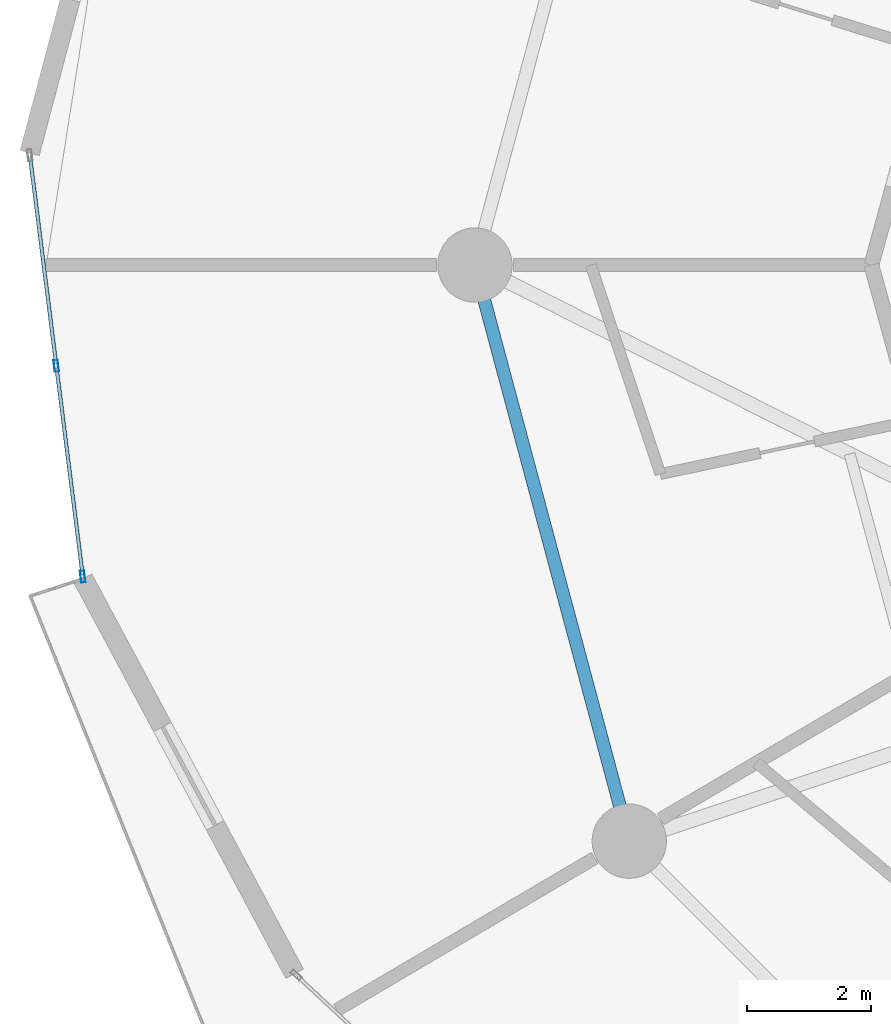
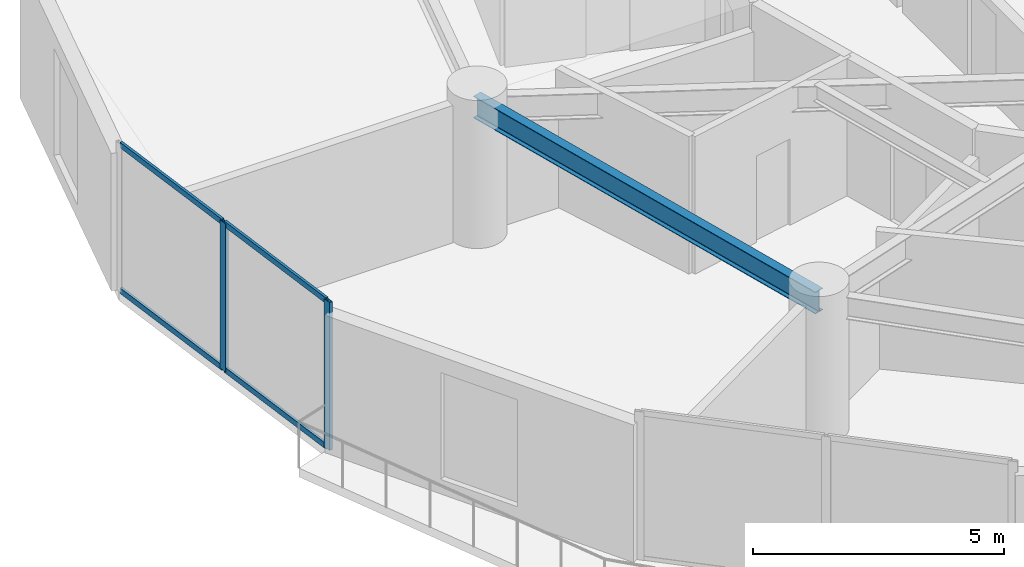
# One storey, part 4 of 26: 6 members, 1 beam, 1 element without a shape of its own.
"""IFC4 building model written with IfcOpenShell, lengths in metres."""

from ifc_helpers import new_model, si_unit, direction, frame, origin, origin_2d, place, context, subcontext, project, spatial, hollow_rectangle, i_section, extrude, source, transform, mapped, material, layer, layer_set, material_profile, profile_set, type_object, element, aggregate, save


model = new_model("IFC4")

# Units and contexts
model_context = context("Model", 3, precision=1e-05, world=origin(), true_north=direction((0.0, 1.0)))
body_context = subcontext(model_context, "Body", "Model", "MODEL_VIEW")
ifc_project = project(units=[si_unit("LENGTHUNIT", "METRE"), si_unit("AREAUNIT", "SQUARE_METRE"), si_unit("VOLUMEUNIT", "CUBIC_METRE"), si_unit("PLANEANGLEUNIT", "RADIAN"), si_unit("MASSUNIT", "GRAM", prefix="KILO")], contexts=[model_context])

# Site, building, storey
site_placement = place(None, origin())
site = spatial("IfcSite", under=ifc_project, at=site_placement, CompositionType="ELEMENT")
building_placement = place(site_placement, origin())
building = spatial("IfcBuilding", under=site, at=building_placement, Name="Solvirekh Grand Hotel", CompositionType="ELEMENT")
storey_placement = place(building_placement, frame((0.0, 0.0, 35.60009765625)))
storey = spatial("IfcBuildingStorey", under=building, at=storey_placement, Name="L07", CompositionType="ELEMENT", Elevation=35.60009765625)

# Beam
ifc_material_1 = material(Name="Steel S355", Category="steel")
ifc_material_profile_1 = material_profile(ifc_material_1, i_section(OverallWidth=0.208984375, OverallDepth=0.532958984375, WebThickness=0.010009765625, FlangeThickness=0.014892578125, FilletRadius=0.013916015625, at=origin_2d()), Name="W530X92")
ifc_profile_set_1 = profile_set([ifc_material_profile_1], Name="Steel S355")
beam_type = type_object("IfcBeamType", Name="Spandrel_Ring_W530", PredefinedType="SPANDREL", material=ifc_profile_set_1)
beam_placement = place(storey_placement, frame((-18.60009765625, 0.0, 3.072998046875), z_axis=(0.258842973314, -0.965919414426, 0.0), x_axis=(0.965919414426, 0.258842973314, 0.0)))
element("IfcBeam", 1, at=beam_placement, inside=storey, type_object=beam_type, Name="L07 perimeter spandrel beam 7", PredefinedType="SPANDREL", context=body_context, shape_type="SweptSolid", body=[
    extrude(i_section(OverallWidth=0.208984375, OverallDepth=0.532958984375, WebThickness=0.010009765625, FlangeThickness=0.014892578125, FilletRadius=0.013916015625, at=origin_2d()), origin(), (0.0, 0.0, 1.0), 9.628173828125),
])

# Curtain wall, members
ifc_material_2 = material(Name="Anodized Bronze Aluminium 6063-T6", Category="aluminium")
ifc_layer = layer(ifc_material_2, 0.18994140625)
ifc_layer_set = layer_set([ifc_layer], Name="Anodized Bronze Aluminium 6063-T6")
curtain_wall_type = type_object("IfcCurtainWallType", Name="CW_Sys2_LowZoneFlushBronzeCW", PredefinedType="NOTDEFINED", material=ifc_layer_set)
curtain_wall_placement = place(storey_placement, origin())
curtain_wall = element("IfcCurtainWall", 2, at=curtain_wall_placement, inside=storey, type_object=curtain_wall_type, Name="L07 unitised bronze-glass curtain wall CW-L07-C11", PredefinedType="NOTDEFINED")
ifc_material_profile_2 = material_profile(ifc_material_2, hollow_rectangle(XDim=0.06005859375, YDim=0.135009765625, WallThickness=0.00390625, at=origin_2d()), Name="ALU RHS 135X60X4")
ifc_profile_set_2 = profile_set([ifc_material_profile_2], Name="Anodized Bronze Aluminium 6063-T6")
member_type_1 = type_object("IfcMemberType", Name="CWTransom_Sys2", PredefinedType="USERDEFINED", material=ifc_profile_set_2)
shared_shape_1 = source(origin(), body_context, "Body", "SweptSolid", [
    extrude(hollow_rectangle(XDim=0.06005859375, YDim=0.135009765625, WallThickness=0.00390625, at=origin_2d()), origin(), (0.0, 0.0, 1.0), 3.357421875),
])
member_1_placement = place(storey_placement, frame((-25.7802734375, 1.738525390625, 0.02978515625), z_axis=(0.124634334989, -0.99220274266, 0.0), x_axis=(0.99220274266, 0.124634334989, 0.0)))
member_1 = element("IfcMember", 3, at=member_1_placement, type_object=member_type_1, Name="U02 transom 1.1", ObjectType="TRANSOM", PredefinedType="USERDEFINED", context=body_context, shape_type="MappedRepresentation", body=[
    mapped(shared_shape_1, transform((0.0, 0.0, 0.0), x_axis=(1.0, 0.0, 0.0), y_axis=(0.0, 1.0, 0.0), z_axis=(0.0, 0.0, 1.0), scale=1.0)),
])
member_2_placement = place(storey_placement, frame((-25.7802734375, 1.738525390625, 3.56982421875), z_axis=(0.124634334989, -0.99220274266, 0.0), x_axis=(0.99220274266, 0.124634334989, 0.0)))
member_2 = element("IfcMember", 4, at=member_2_placement, type_object=member_type_1, Name="U02 transom 1.2", ObjectType="TRANSOM", PredefinedType="USERDEFINED", context=body_context, shape_type="MappedRepresentation", body=[
    mapped(shared_shape_1, transform((0.0, 0.0, 0.0), x_axis=(1.0, 0.0, 0.0), y_axis=(0.0, 1.0, 0.0), z_axis=(0.0, 0.0, 1.0), scale=1.0)),
])
shared_shape_2 = source(origin(), body_context, "Body", "SweptSolid", [
    extrude(hollow_rectangle(XDim=0.06005859375, YDim=0.135009765625, WallThickness=0.00390625, at=origin_2d()), origin(), (0.0, 0.0, 1.0), 3.357666015625),
])
member_3_placement = place(storey_placement, frame((-25.35302734375, -1.662109375, 0.02978515625), z_axis=(0.124553761541, -0.992212860472, 0.0), x_axis=(0.992212860472, 0.124553761541, 0.0)))
member_3 = element("IfcMember", 5, at=member_3_placement, type_object=member_type_1, Name="U02 transom 2.1", ObjectType="TRANSOM", PredefinedType="USERDEFINED", context=body_context, shape_type="MappedRepresentation", body=[
    mapped(shared_shape_2, transform((0.0, 0.0, 0.0), x_axis=(1.0, 0.0, 0.0), y_axis=(0.0, 1.0, 0.0), z_axis=(0.0, 0.0, 1.0), scale=1.0)),
])
member_4_placement = place(storey_placement, frame((-25.35302734375, -1.662109375, 3.56982421875), z_axis=(0.124553761541, -0.992212860472, 0.0), x_axis=(0.992212860472, 0.124553761541, 0.0)))
member_4 = element("IfcMember", 6, at=member_4_placement, type_object=member_type_1, Name="U02 transom 2.2", ObjectType="TRANSOM", PredefinedType="USERDEFINED", context=body_context, shape_type="MappedRepresentation", body=[
    mapped(shared_shape_2, transform((0.0, 0.0, 0.0), x_axis=(1.0, 0.0, 0.0), y_axis=(0.0, 1.0, 0.0), z_axis=(0.0, 0.0, 1.0), scale=1.0)),
])
ifc_material_profile_3 = material_profile(ifc_material_2, hollow_rectangle(XDim=0.070068359375, YDim=0.18994140625, WallThickness=0.0048828125, at=origin_2d()), Name="ALU RHS 190X70X5")
ifc_profile_set_3 = profile_set([ifc_material_profile_3], Name="Anodized Bronze Aluminium 6063-T6")
member_type_2 = type_object("IfcMemberType", Name="CWMullion_Sys2", PredefinedType="MULLION", material=ifc_profile_set_3)
shared_shape_3 = source(origin(), body_context, "Body", "SweptSolid", [
    extrude(hollow_rectangle(XDim=0.070068359375, YDim=0.18994140625, WallThickness=0.0048828125, at=origin_2d()), origin(), (0.0, 0.0, 1.0), 3.599853515625),
])
member_5_placement = place(storey_placement, frame((-25.357421875, -1.62744140625, 0.0), z_axis=(0.0, 0.0, 1.0), x_axis=(0.992204390249, 0.124621217979, 0.0)))
member_5 = element("IfcMember", 7, at=member_5_placement, type_object=member_type_2, Name="U02 mullion 2", PredefinedType="MULLION", context=body_context, shape_type="MappedRepresentation", body=[
    mapped(shared_shape_3, transform((0.0, 0.0, 0.0), x_axis=(1.0, 0.0, 0.0), y_axis=(0.0, 1.0, 0.0), z_axis=(0.0, 0.0, 1.0), scale=1.0)),
])
member_6_placement = place(storey_placement, frame((-24.930419921875, -5.0283203125, 0.0), z_axis=(0.0, 0.0, 1.0), x_axis=(0.992204390249, 0.124621217979, 0.0)))
member_6 = element("IfcMember", 8, at=member_6_placement, type_object=member_type_2, Name="U02 mullion 3", PredefinedType="MULLION", context=body_context, shape_type="MappedRepresentation", body=[
    mapped(shared_shape_3, transform((0.0, 0.0, 0.0), x_axis=(1.0, 0.0, 0.0), y_axis=(0.0, 1.0, 0.0), z_axis=(0.0, 0.0, 1.0), scale=1.0)),
])
aggregate(curtain_wall, [member_5, member_6, member_1, member_2, member_3, member_4])

save(model, "model.ifc")
